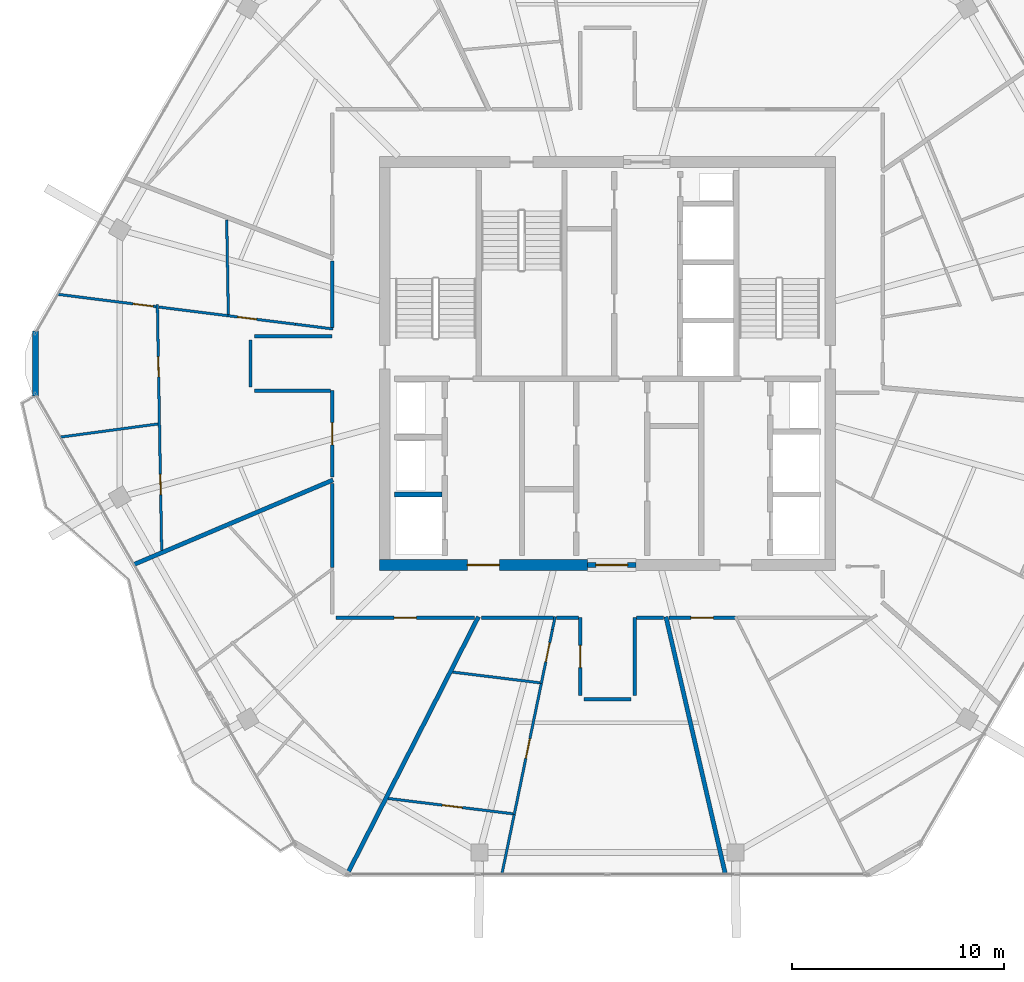
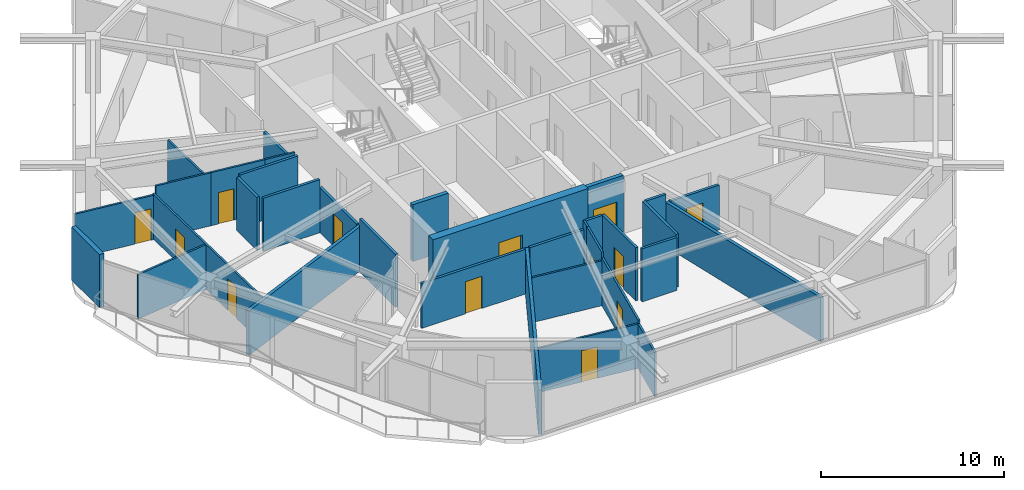
# One storey, part 14 of 21: 34 walls, 13 doors, 13 openings.
"""IFC4 building model written with IfcOpenShell, lengths in metres."""

from ifc_helpers import new_model, si_unit, direction, frame, frame_2d, origin, place, context, subcontext, project, spatial, rectangle, extrude, material, layer, layer_set, type_object, element, fill, save


model = new_model("IFC4")

# Units and contexts
model_context = context("Model", 3, precision=1e-05, world=origin(), true_north=direction((0.0, 1.0)))
body_context = subcontext(model_context, "Body", "Model", "MODEL_VIEW")
ifc_project = project(units=[si_unit("LENGTHUNIT", "METRE"), si_unit("AREAUNIT", "SQUARE_METRE"), si_unit("VOLUMEUNIT", "CUBIC_METRE"), si_unit("PLANEANGLEUNIT", "RADIAN"), si_unit("MASSUNIT", "GRAM", prefix="KILO")], contexts=[model_context])

# Site, building, storey
site_placement = place(None, origin())
site = spatial("IfcSite", under=ifc_project, at=site_placement, CompositionType="ELEMENT")
building_placement = place(site_placement, origin())
building = spatial("IfcBuilding", under=site, at=building_placement, Name="Zuhravey Tower", CompositionType="ELEMENT")
storey_placement = place(building_placement, frame((0.0, 0.0, 319.60009765625)))
storey = spatial("IfcBuildingStorey", under=building, at=storey_placement, Name="L81", CompositionType="ELEMENT", Elevation=319.60009765625)

# Wall, opening, door
ifc_material_1 = material(Name="Concrete C50/60", Category="concrete")
ifc_layer_1 = layer(ifc_material_1, 0.5)
ifc_layer_set_1 = layer_set([ifc_layer_1], Name="Concrete C50/60")
wall_type_1 = type_object("IfcWallType", Name="Core Shear Wall 500", PredefinedType="SHEAR", material=ifc_layer_set_1)
wall_1_placement = place(storey_placement, frame((25.25, 22.5, 0.0), z_axis=(0.0, 0.0, 1.0), x_axis=(1.0, 0.0, 0.0)))
wall_1 = element("IfcWall", 1, at=wall_1_placement, inside=storey, type_object=wall_type_1, Name="L81 South-West Core Shear Wall CW50", PredefinedType="SHEAR", context=body_context, shape_type="SweptSolid", body=[
    extrude(rectangle(XDim=9.800048828125, YDim=0.5, at=frame_2d((4.89990234375, 0.0))), origin(), (0.0, 0.0, 1.0), 3.7998046875),
])
opening_1_placement = place(wall_1_placement, frame((4.14990234375, 0.0, 0.0)))
opening_1 = element("IfcOpeningElement", 2, at=opening_1_placement, cuts=wall_1, Name="Opening FFD1", PredefinedType="OPENING", context=body_context, shape_type="SweptSolid", body=[
    extrude(rectangle(XDim=1.5, YDim=2.14990234375, at=frame_2d((0.75, 1.074951171875))), frame((0.0, 0.261962890625, 0.0), z_axis=(0.0, -1.0, 0.0), x_axis=(1.0, 0.0, 0.0)), (0.0, 0.0, 1.0), 0.52392578125),
])
ifc_material_2 = material(Name="Galvanised fire-rated steel leaf", Category="steel")
door_type_1 = type_object("IfcDoorType", Name="Firefighting Lobby Double Door 1500x2150", OperationType="DOUBLE_DOOR_SINGLE_SWING", PredefinedType="DOOR", material=ifc_material_2)
door_1_placement = place(opening_1_placement, origin())
door_1 = element("IfcDoor", 3, at=door_1_placement, inside=storey, type_object=door_type_1, Name="L81 Firefighting Lobby West Door", OperationType="DOUBLE_DOOR_SINGLE_SWING", OverallHeight=2.14990234375, OverallWidth=1.5, PredefinedType="DOOR", context=body_context, shape_type="SweptSolid", body=[
    extrude(rectangle(XDim=1.5, YDim=2.14990234375, at=frame_2d((0.75, 1.074951171875))), frame((0.0, 0.02490234375, 0.0), z_axis=(0.0, -1.0, 0.0), x_axis=(1.0, 0.0, 0.0)), (0.0, 0.0, 1.0), 0.050048828125),
])
fill(opening_1, door_1)

ifc_material_3 = material(Name="Gypsum fire-rated stud partition")
ifc_layer_2 = layer(ifc_material_3, 0.159912109375)
ifc_layer_set_2 = layer_set([ifc_layer_2], Name="Gypsum fire-rated stud partition")
wall_type_2 = type_object("IfcWallType", Name="Corridor Fire Partition 160", PredefinedType="PARTITIONING", material=ifc_layer_set_2)
wall_2_placement = place(storey_placement, frame((23.02001953125, 30.719970703125, 0.0), z_axis=(0.0, 0.0, 1.0), x_axis=(0.0, -1.0, 0.0)))
wall_2 = element("IfcWall", 4, at=wall_2_placement, inside=storey, type_object=wall_type_2, Name="L81 IW16 Partition 030", PredefinedType="PARTITIONING", context=body_context, shape_type="SweptSolid", body=[
    extrude(rectangle(XDim=4.07470703125, YDim=0.159912109375, at=frame_2d((2.037353515625, 0.0))), origin(), (0.0, 0.0, 1.0), 3.0),
])
opening_2_placement = place(wall_2_placement, frame((1.512451171875, 0.0, 0.0)))
opening_2 = element("IfcOpeningElement", 5, at=opening_2_placement, cuts=wall_2, Name="Opening APD1", PredefinedType="OPENING", context=body_context, shape_type="SweptSolid", body=[
    extrude(rectangle(XDim=1.050048828125, YDim=2.14990234375, at=frame_2d((0.52490234375, 1.074951171875))), frame((0.0, 0.092041015625, 0.0), z_axis=(0.0, -1.0, 0.0), x_axis=(1.0, 0.0, 0.0)), (0.0, 0.0, 1.0), 0.183837890625),
])
ifc_material_4 = material(Name="Solid-core oak fire-rated leaf")
door_type_2 = type_object("IfcDoorType", Name="Apartment Entrance Fire Door 1050x2150", OperationType="NOTDEFINED", PredefinedType="DOOR", material=ifc_material_4)
door_2_placement = place(opening_2_placement, frame((1.050048828125, 0.0, 0.0), z_axis=(0.0, 0.0, 1.0), x_axis=(-1.0, 0.0, 0.0)))
door_2 = element("IfcDoor", 6, at=door_2_placement, inside=storey, type_object=door_type_2, Name="L81 Door 030.1", OperationType="SINGLE_SWING_LEFT", OverallHeight=2.14990234375, OverallWidth=1.050048828125, PredefinedType="DOOR", context=body_context, shape_type="SweptSolid", body=[
    extrude(rectangle(XDim=1.050048828125, YDim=2.14990234375, at=frame_2d((0.52490234375, 1.074951171875))), frame((0.0, 0.02490234375, 0.0), z_axis=(0.0, -1.0, 0.0), x_axis=(1.0, 0.0, 0.0)), (0.0, 0.0, 1.0), 0.050048828125),
])
fill(opening_2, door_2)

wall_3_placement = place(storey_placement, frame((23.199951171875, 20.02001953125, 0.0), z_axis=(0.0, 0.0, 1.0), x_axis=(1.0, 0.0, 0.0)))
wall_3 = element("IfcWall", 7, at=wall_3_placement, inside=storey, type_object=wall_type_2, Name="L81 IW16 Partition 035", PredefinedType="PARTITIONING", context=body_context, shape_type="SweptSolid", body=[
    extrude(rectangle(XDim=6.541259765625, YDim=0.159912109375, at=frame_2d((3.2705078125, 0.0))), origin(), (0.0, 0.0, 1.0), 3.0),
])
opening_3_placement = place(wall_3_placement, frame((2.74560546875, 0.0, 0.0)))
opening_3 = element("IfcOpeningElement", 8, at=opening_3_placement, cuts=wall_3, Name="Opening APD1", PredefinedType="OPENING", context=body_context, shape_type="SweptSolid", body=[
    extrude(rectangle(XDim=1.050048828125, YDim=2.14990234375, at=frame_2d((0.52490234375, 1.074951171875))), frame((0.0, 0.092041015625, 0.0), z_axis=(0.0, -1.0, 0.0), x_axis=(1.0, 0.0, 0.0)), (0.0, 0.0, 1.0), 0.183837890625),
])
door_3_placement = place(opening_3_placement, frame((1.050048828125, 0.0, 0.0), z_axis=(0.0, 0.0, 1.0), x_axis=(-1.0, 0.0, 0.0)))
door_3 = element("IfcDoor", 9, at=door_3_placement, inside=storey, type_object=door_type_2, Name="L81 Door 035.1", OperationType="SINGLE_SWING_RIGHT", OverallHeight=2.14990234375, OverallWidth=1.050048828125, PredefinedType="DOOR", context=body_context, shape_type="SweptSolid", body=[
    extrude(rectangle(XDim=1.050048828125, YDim=2.14990234375, at=frame_2d((0.52490234375, 1.074951171875))), frame((0.0, 0.02490234375, 0.0), z_axis=(0.0, -1.0, 0.0), x_axis=(1.0, 0.0, 0.0)), (0.0, 0.0, 1.0), 0.050048828125),
])
fill(opening_3, door_3)

wall_4_placement = place(storey_placement, frame((34.719970703125, 20.02001953125, 0.0), z_axis=(0.0, 0.0, 1.0), x_axis=(0.0, -1.0, 0.0)))
wall_4 = element("IfcWall", 10, at=wall_4_placement, inside=storey, type_object=wall_type_2, Name="L81 IW16 Partition 039", PredefinedType="PARTITIONING", context=body_context, shape_type="SweptSolid", body=[
    extrude(rectangle(XDim=3.669921875, YDim=0.159912109375, at=frame_2d((1.8349609375, 0.0))), origin(), (0.0, 0.0, 1.0), 3.5498046875),
])
opening_4_placement = place(wall_4_placement, frame((1.31005859375, 0.0, 0.0)))
opening_4 = element("IfcOpeningElement", 11, at=opening_4_placement, cuts=wall_4, Name="Opening APD1", PredefinedType="OPENING", context=body_context, shape_type="SweptSolid", body=[
    extrude(rectangle(XDim=1.050048828125, YDim=2.14990234375, at=frame_2d((0.52490234375, 1.074951171875))), frame((0.0, 0.092041015625, 0.0), z_axis=(0.0, -1.0, 0.0), x_axis=(1.0, 0.0, 0.0)), (0.0, 0.0, 1.0), 0.183837890625),
])
door_4_placement = place(opening_4_placement, origin())
door_4 = element("IfcDoor", 12, at=door_4_placement, inside=storey, type_object=door_type_2, Name="L81 Door 039.1", OperationType="SINGLE_SWING_RIGHT", OverallHeight=2.14990234375, OverallWidth=1.050048828125, PredefinedType="DOOR", context=body_context, shape_type="SweptSolid", body=[
    extrude(rectangle(XDim=1.050048828125, YDim=2.14990234375, at=frame_2d((0.52490234375, 1.074951171875))), frame((0.0, 0.02490234375, 0.0), z_axis=(0.0, -1.0, 0.0), x_axis=(1.0, 0.0, 0.0)), (0.0, 0.0, 1.0), 0.050048828125),
])
fill(opening_4, door_4)

wall_5_placement = place(storey_placement, frame((38.896728515625, 20.02001953125, 0.0), z_axis=(0.0, 0.0, 1.0), x_axis=(1.0, 0.0, 0.0)))
wall_5 = element("IfcWall", 13, at=wall_5_placement, inside=storey, type_object=wall_type_2, Name="L81 IW16 Partition 043", PredefinedType="PARTITIONING", context=body_context, shape_type="SweptSolid", body=[
    extrude(rectangle(XDim=3.13232421875, YDim=0.159912109375, at=frame_2d((1.566162109375, 0.0))), origin(), (0.0, 0.0, 1.0), 3.0),
])
opening_5_placement = place(wall_5_placement, frame((1.041259765625, 0.0, 0.0)))
opening_5 = element("IfcOpeningElement", 14, at=opening_5_placement, cuts=wall_5, Name="Opening APD1", PredefinedType="OPENING", context=body_context, shape_type="SweptSolid", body=[
    extrude(rectangle(XDim=1.050048828125, YDim=2.14990234375, at=frame_2d((0.52490234375, 1.074951171875))), frame((0.0, 0.092041015625, 0.0), z_axis=(0.0, -1.0, 0.0), x_axis=(1.0, 0.0, 0.0)), (0.0, 0.0, 1.0), 0.183837890625),
])
door_5_placement = place(opening_5_placement, frame((1.050048828125, 0.0, 0.0), z_axis=(0.0, 0.0, 1.0), x_axis=(-1.0, 0.0, 0.0)))
door_5 = element("IfcDoor", 15, at=door_5_placement, inside=storey, type_object=door_type_2, Name="L81 Door 043.1", OperationType="SINGLE_SWING_RIGHT", OverallHeight=2.14990234375, OverallWidth=1.050048828125, PredefinedType="DOOR", context=body_context, shape_type="SweptSolid", body=[
    extrude(rectangle(XDim=1.050048828125, YDim=2.14990234375, at=frame_2d((0.52490234375, 1.074951171875))), frame((0.0, 0.02490234375, 0.0), z_axis=(0.0, -1.0, 0.0), x_axis=(1.0, 0.0, 0.0)), (0.0, 0.0, 1.0), 0.050048828125),
])
fill(opening_5, door_5)

# Walls
wall_6_placement = place(storey_placement, frame((23.02001953125, 33.280029296875, 0.0), z_axis=(0.0, 0.0, 1.0), x_axis=(-1.0, 0.0, 0.0)))
element("IfcWall", 16, at=wall_6_placement, inside=storey, type_object=wall_type_2, Name="L81 IW16 Partition 095", PredefinedType="PARTITIONING", context=body_context, shape_type="SweptSolid", body=[
    extrude(rectangle(XDim=3.669921875, YDim=0.159912109375, at=frame_2d((1.8349609375, 0.0))), origin(), (0.0, 0.0, 1.0), 3.5498046875),
])
wall_7_placement = place(storey_placement, frame((19.35009765625, 30.719970703125, 0.0), z_axis=(0.0, 0.0, 1.0), x_axis=(1.0, 0.0, 0.0)))
element("IfcWall", 17, at=wall_7_placement, inside=storey, type_object=wall_type_2, Name="L81 IW16 Partition 096", PredefinedType="PARTITIONING", context=body_context, shape_type="SweptSolid", body=[
    extrude(rectangle(XDim=3.581787109375, YDim=0.159912109375, at=frame_2d((1.791015625, 0.0))), origin(), (0.0, 0.0, 1.0), 3.5498046875),
])
wall_8_placement = place(storey_placement, frame((19.169921875, 33.10009765625, 0.0), z_axis=(0.0, 0.0, 1.0), x_axis=(0.0, -1.0, 0.0)))
element("IfcWall", 18, at=wall_8_placement, inside=storey, type_object=wall_type_2, Name="L81 IW16 Partition 097", PredefinedType="PARTITIONING", context=body_context, shape_type="SweptSolid", body=[
    extrude(rectangle(XDim=2.2001953125, YDim=0.159912109375, at=frame_2d((1.10009765625, 0.0))), origin(), (0.0, 0.0, 1.0), 3.5498046875),
])
wall_9_placement = place(storey_placement, frame((23.02001953125, 36.831787109375, 0.0), z_axis=(0.0, 0.0, 1.0), x_axis=(0.0, -1.0, 0.0)))
element("IfcWall", 19, at=wall_9_placement, inside=storey, type_object=wall_type_2, Name="L81 IW16 Partition 098", PredefinedType="PARTITIONING", context=body_context, shape_type="SweptSolid", body=[
    extrude(rectangle(XDim=3.13037109375, YDim=0.159912109375, at=frame_2d((1.565185546875, 0.0))), origin(), (0.0, 0.0, 1.0), 3.0),
])
wall_10_placement = place(storey_placement, frame((23.02001953125, 26.334228515625, 0.0), z_axis=(0.0, 0.0, 1.0), x_axis=(0.0, -1.0, 0.0)))
element("IfcWall", 20, at=wall_10_placement, inside=storey, type_object=wall_type_2, Name="L81 IW16 Partition 100", PredefinedType="PARTITIONING", context=body_context, shape_type="SweptSolid", body=[
    extrude(rectangle(XDim=3.9453125, YDim=0.159912109375, at=frame_2d((1.97265625, 0.0))), origin(), (0.0, 0.0, 1.0), 3.5498046875),
])
wall_11_placement = place(storey_placement, frame((37.280029296875, 16.35009765625, 0.0), z_axis=(0.0, 0.0, 1.0), x_axis=(0.0, 1.0, 0.0)))
element("IfcWall", 21, at=wall_11_placement, inside=storey, type_object=wall_type_2, Name="L81 IW16 Partition 101", PredefinedType="PARTITIONING", context=body_context, shape_type="SweptSolid", body=[
    extrude(rectangle(XDim=3.669921875, YDim=0.159912109375, at=frame_2d((1.8349609375, 0.0))), origin(), (0.0, 0.0, 1.0), 3.5498046875),
])
wall_12_placement = place(storey_placement, frame((34.89990234375, 16.169921875, 0.0), z_axis=(0.0, 0.0, 1.0), x_axis=(1.0, 0.0, 0.0)))
element("IfcWall", 22, at=wall_12_placement, inside=storey, type_object=wall_type_2, Name="L81 IW16 Partition 102", PredefinedType="PARTITIONING", context=body_context, shape_type="SweptSolid", body=[
    extrude(rectangle(XDim=2.2001953125, YDim=0.159912109375, at=frame_2d((1.10009765625, 0.0))), origin(), (0.0, 0.0, 1.0), 3.5498046875),
])
wall_13_placement = place(storey_placement, frame((37.367919921875, 20.02001953125, 0.0), z_axis=(0.0, 0.0, 1.0), x_axis=(1.0, 0.0, 0.0)))
element("IfcWall", 23, at=wall_13_placement, inside=storey, type_object=wall_type_2, Name="L81 IW16 Partition 103", PredefinedType="PARTITIONING", context=body_context, shape_type="SweptSolid", body=[
    extrude(rectangle(XDim=1.267578125, YDim=0.159912109375, at=frame_2d((0.6337890625, 0.0))), origin(), (0.0, 0.0, 1.0), 3.5498046875),
])
wall_14_placement = place(storey_placement, frame((33.5927734375, 20.02001953125, 0.0), z_axis=(0.0, 0.0, 1.0), x_axis=(1.0, 0.0, 0.0)))
element("IfcWall", 24, at=wall_14_placement, inside=storey, type_object=wall_type_2, Name="L81 IW16 Partition 104", PredefinedType="PARTITIONING", context=body_context, shape_type="SweptSolid", body=[
    extrude(rectangle(XDim=1.039306640625, YDim=0.159912109375, at=frame_2d((0.51953125, 0.0))), origin(), (0.0, 0.0, 1.0), 3.5498046875),
])
wall_15_placement = place(storey_placement, frame((30.04931640625, 20.02001953125, 0.0), z_axis=(0.0, 0.0, 1.0), x_axis=(1.0, 0.0, 0.0)))
element("IfcWall", 25, at=wall_15_placement, inside=storey, type_object=wall_type_2, Name="L81 IW16 Partition 105", PredefinedType="PARTITIONING", context=body_context, shape_type="SweptSolid", body=[
    extrude(rectangle(XDim=3.40478515625, YDim=0.159912109375, at=frame_2d((1.702392578125, 0.0))), origin(), (0.0, 0.0, 1.0), 3.0),
])
ifc_material_5 = material(Name="Precast concrete C40/50", Category="concrete")
ifc_layer_3 = layer(ifc_material_5, 0.280029296875)
ifc_layer_set_3 = layer_set([ifc_layer_3], Name="Precast concrete C40/50")
wall_type_3 = type_object("IfcWallType", Name="Crown Architectural Wall 280", PredefinedType="SOLIDWALL", material=ifc_layer_set_3)
wall_16_placement = place(storey_placement, frame((9.031494140625, 30.467529296875, 0.0), z_axis=(0.0, 0.0, 1.0), x_axis=(0.0, 1.0, 0.0)))
element("IfcWall", 26, at=wall_16_placement, inside=storey, type_object=wall_type_3, Name="L81 Rounded Corner Closure Wall EW28-06", PredefinedType="SOLIDWALL", context=body_context, shape_type="SweptSolid", body=[
    extrude(rectangle(XDim=3.06494140625, YDim=0.280029296875, at=frame_2d((1.532470703125, 0.0))), origin(), (0.0, 0.0, 1.0), 3.5498046875),
])

# Wall, opening, door
ifc_layer_4 = layer(ifc_material_1, 0.25)
ifc_layer_set_4 = layer_set([ifc_layer_4], Name="Concrete C50/60")
wall_type_4 = type_object("IfcWallType", Name="Firefighting Shaft & Stair Wall 250", PredefinedType="SOLIDWALL", material=ifc_layer_set_4)
wall_17_placement = place(storey_placement, frame((35.06005859375, 22.5, 0.0), z_axis=(0.0, 0.0, 1.0), x_axis=(1.0, 0.0, 0.0)))
wall_17 = element("IfcWall", 27, at=wall_17_placement, inside=storey, type_object=wall_type_4, Name="L81 FW25 Shaft Wall 001", PredefinedType="SOLIDWALL", context=body_context, shape_type="SweptSolid", body=[
    extrude(rectangle(XDim=2.280029296875, YDim=0.25, at=frame_2d((1.14013671875, 0.0))), origin(), (0.0, 0.0, 1.0), 3.7998046875),
])
opening_6_placement = place(wall_17_placement, frame((0.389892578125, 0.0, 0.0)))
opening_6 = element("IfcOpeningElement", 28, at=opening_6_placement, cuts=wall_17, Name="Opening FFD1", PredefinedType="OPENING", context=body_context, shape_type="SweptSolid", body=[
    extrude(rectangle(XDim=1.5, YDim=2.14990234375, at=frame_2d((0.75, 1.074951171875))), frame((0.0, 0.136962890625, 0.0), z_axis=(0.0, -1.0, 0.0), x_axis=(1.0, 0.0, 0.0)), (0.0, 0.0, 1.0), 0.27392578125),
])
door_6_placement = place(opening_6_placement, frame((1.5, 0.0, 0.0), z_axis=(0.0, 0.0, 1.0), x_axis=(-1.0, 0.0, 0.0)))
door_6 = element("IfcDoor", 29, at=door_6_placement, inside=storey, type_object=door_type_1, Name="L81 South Lift Lobby Exit Door", OperationType="DOUBLE_DOOR_SINGLE_SWING", OverallHeight=2.14990234375, OverallWidth=1.5, PredefinedType="DOOR", context=body_context, shape_type="SweptSolid", body=[
    extrude(rectangle(XDim=1.5, YDim=2.14990234375, at=frame_2d((0.75, 1.074951171875))), frame((0.0, 0.02490234375, 0.0), z_axis=(0.0, -1.0, 0.0), x_axis=(1.0, 0.0, 0.0)), (0.0, 0.0, 1.0), 0.050048828125),
])
fill(opening_6, door_6)

# Walls
wall_18_placement = place(storey_placement, frame((25.949951171875, 25.824951171875, 0.0), z_axis=(0.0, 0.0, 1.0), x_axis=(1.0, 0.0, 0.0)))
element("IfcWall", 30, at=wall_18_placement, inside=storey, type_object=wall_type_4, Name="L81 FW25 Shaft Wall 009", PredefinedType="SOLIDWALL", context=body_context, shape_type="SweptSolid", body=[
    extrude(rectangle(XDim=2.25, YDim=0.25, at=frame_2d((1.125, 0.0))), origin(), (0.0, 0.0, 1.0), 3.7998046875),
])
ifc_material_6 = material(Name="Gypsum double-stud party assembly")
ifc_layer_5 = layer(ifc_material_6, 0.199951171875)
ifc_layer_set_5 = layer_set([ifc_layer_5], Name="Gypsum double-stud party assembly")
wall_type_5 = type_object("IfcWallType", Name="Inter-Tenancy Party Wall 200", PredefinedType="PARTITIONING", material=ifc_layer_set_5)
wall_19_placement = place(storey_placement, frame((23.06005859375, 26.50732421875, 0.0), z_axis=(0.0, 0.0, 1.0), x_axis=(-0.920506642252, -0.390726914314, 0.0)))
element("IfcWall", 31, at=wall_19_placement, inside=storey, type_object=wall_type_5, Name="L81 IW20 Partition 067", PredefinedType="PARTITIONING", context=body_context, shape_type="SweptSolid", body=[
    extrude(rectangle(XDim=10.197265625, YDim=0.199951171875, at=frame_2d((5.0986328125, 0.0))), origin(), (0.0, 0.0, 1.0), 2.969970703125),
])
wall_20_placement = place(storey_placement, frame((29.916259765625, 20.06005859375, 0.0), z_axis=(0.0, 0.0, 1.0), x_axis=(-0.453984595432, -0.891009532559, 0.0)))
element("IfcWall", 32, at=wall_20_placement, inside=storey, type_object=wall_type_5, Name="L81 IW20 Partition 071", PredefinedType="PARTITIONING", context=body_context, shape_type="SweptSolid", body=[
    extrude(rectangle(XDim=13.617919921875, YDim=0.199951171875, at=frame_2d((6.80908203125, 0.0))), origin(), (0.0, 0.0, 1.0), 2.969970703125),
])
wall_21_placement = place(storey_placement, frame((38.756591796875, 20.06005859375, 0.0), z_axis=(0.0, 0.0, 1.0), x_axis=(0.224939685303, -0.974372689465, 0.0)))
element("IfcWall", 33, at=wall_21_placement, inside=storey, type_object=wall_type_5, Name="L81 IW20 Partition 075", PredefinedType="PARTITIONING", context=body_context, shape_type="SweptSolid", body=[
    extrude(rectangle(XDim=12.453369140625, YDim=0.199951171875, at=frame_2d((6.2265625, 0.0))), origin(), (0.0, 0.0, 1.0), 2.969970703125),
])

# Wall, openings, doors
ifc_material_7 = material(Name="Gypsum metal-stud partition")
ifc_layer_6 = layer(ifc_material_7, 0.1201171875)
ifc_layer_set_6 = layer_set([ifc_layer_6], Name="Gypsum metal-stud partition")
wall_type_6 = type_object("IfcWallType", Name="Unit Internal Partition 120", PredefinedType="PARTITIONING", material=ifc_layer_set_6)
wall_22_placement = place(storey_placement, frame((14.77978515625, 34.770263671875, 0.0), z_axis=(0.0, 0.0, 1.0), x_axis=(0.017447291159, -0.999847784431, 0.0)))
wall_22 = element("IfcWall", 34, at=wall_22_placement, inside=storey, type_object=wall_type_6, Name="L81 IW12 Partition 026", PredefinedType="PARTITIONING", context=body_context, shape_type="SweptSolid", body=[
    extrude(rectangle(XDim=11.586181640625, YDim=0.1201171875, at=frame_2d((5.79296875, 0.0))), origin(), (0.0, 0.0, 1.0), 3.0),
])
opening_7_placement = place(wall_22_placement, frame((2.45263671875, 0.0, 0.0)))
opening_7 = element("IfcOpeningElement", 35, at=opening_7_placement, cuts=wall_22, Name="Opening IND1", PredefinedType="OPENING", context=body_context, shape_type="SweptSolid", body=[
    extrude(rectangle(XDim=0.949951171875, YDim=2.10009765625, at=frame_2d((0.47509765625, 1.050048828125))), frame((0.0, 0.072021484375, 0.0), z_axis=(0.0, -1.0, 0.0), x_axis=(1.0, 0.0, 0.0)), (0.0, 0.0, 1.0), 0.14404296875),
])
opening_8_placement = place(wall_22_placement, frame((8.005126953125, 0.0, 0.0)))
opening_8 = element("IfcOpeningElement", 36, at=opening_8_placement, cuts=wall_22, Name="Opening IND1", PredefinedType="OPENING", context=body_context, shape_type="SweptSolid", body=[
    extrude(rectangle(XDim=0.949951171875, YDim=2.10009765625, at=frame_2d((0.47509765625, 1.050048828125))), frame((0.0, 0.072021484375, 0.0), z_axis=(0.0, -1.0, 0.0), x_axis=(1.0, 0.0, 0.0)), (0.0, 0.0, 1.0), 0.14404296875),
])
ifc_material_8 = material(Name="Painted engineered timber leaf", Category="wood")
door_type_3 = type_object("IfcDoorType", Name="Internal Room & Bedroom Door 950x2100", OperationType="NOTDEFINED", PredefinedType="DOOR", material=ifc_material_8)
door_7_placement = place(opening_7_placement, frame((0.949951171875, 0.0, 0.0), z_axis=(0.0, 0.0, 1.0), x_axis=(-1.0, 0.0, 0.0)))
door_7 = element("IfcDoor", 37, at=door_7_placement, inside=storey, type_object=door_type_3, Name="Apartment L81-02 Family Study Door", OperationType="SINGLE_SWING_LEFT", OverallHeight=2.10009765625, OverallWidth=0.949951171875, PredefinedType="DOOR", context=body_context, shape_type="SweptSolid", body=[
    extrude(rectangle(XDim=0.949951171875, YDim=2.10009765625, at=frame_2d((0.47509765625, 1.050048828125))), frame((0.0, 0.02490234375, 0.0), z_axis=(0.0, -1.0, 0.0), x_axis=(1.0, 0.0, 0.0)), (0.0, 0.0, 1.0), 0.050048828125),
])
fill(opening_7, door_7)
door_8_placement = place(opening_8_placement, frame((0.949951171875, 0.0, 0.0), z_axis=(0.0, 0.0, 1.0), x_axis=(-1.0, 0.0, 0.0)))
door_8 = element("IfcDoor", 38, at=door_8_placement, inside=storey, type_object=door_type_3, Name="Apartment L81-02 Dining Room Door", OperationType="SINGLE_SWING_RIGHT", OverallHeight=2.10009765625, OverallWidth=0.949951171875, PredefinedType="DOOR", context=body_context, shape_type="SweptSolid", body=[
    extrude(rectangle(XDim=0.949951171875, YDim=2.10009765625, at=frame_2d((0.47509765625, 1.050048828125))), frame((0.0, 0.02490234375, 0.0), z_axis=(0.0, -1.0, 0.0), x_axis=(1.0, 0.0, 0.0)), (0.0, 0.0, 1.0), 0.050048828125),
])
fill(opening_8, door_8)

# Wall, opening, door
wall_23_placement = place(storey_placement, frame((21.293701171875, 33.85009765625, 0.0), z_axis=(0.0, 0.0, 1.0), x_axis=(-0.992178326729, 0.1248285543, 0.0)))
wall_23 = element("IfcWall", 39, at=wall_23_placement, inside=storey, type_object=wall_type_6, Name="L81 IW12 Partition 027", PredefinedType="PARTITIONING", context=body_context, shape_type="SweptSolid", body=[
    extrude(rectangle(XDim=3.21728515625, YDim=0.1201171875, at=frame_2d((1.608642578125, 0.0))), origin(), (0.0, 0.0, 1.0), 3.5498046875),
])
opening_9_placement = place(wall_23_placement, frame((1.856201171875, 0.0, 0.0)))
opening_9 = element("IfcOpeningElement", 40, at=opening_9_placement, cuts=wall_23, Name="Opening WCD1", PredefinedType="OPENING", context=body_context, shape_type="SweptSolid", body=[
    extrude(rectangle(XDim=0.89990234375, YDim=2.10009765625, at=frame_2d((0.449951171875, 1.050048828125))), frame((0.0, 0.072021484375, 0.0), z_axis=(0.0, -1.0, 0.0), x_axis=(1.0, 0.0, 0.0)), (0.0, 0.0, 1.0), 0.14404296875),
])
ifc_material_9 = material(Name="Moisture-resistant timber leaf", Category="wood")
door_type_4 = type_object("IfcDoorType", Name="Bathroom & WC Internal Door 900x2100", OperationType="NOTDEFINED", PredefinedType="DOOR", material=ifc_material_9)
door_9_placement = place(opening_9_placement, frame((0.89990234375, 0.0, 0.0), z_axis=(0.0, 0.0, 1.0), x_axis=(-1.0, 0.0, 0.0)))
door_9 = element("IfcDoor", 41, at=door_9_placement, inside=storey, type_object=door_type_4, Name="Apartment L81-02 Bathroom Door", OperationType="SINGLE_SWING_LEFT", OverallHeight=2.10009765625, OverallWidth=0.89990234375, PredefinedType="DOOR", context=body_context, shape_type="SweptSolid", body=[
    extrude(rectangle(XDim=0.89990234375, YDim=2.10009765625, at=frame_2d((0.449951171875, 1.050048828125))), frame((0.0, 0.02490234375, 0.0), z_axis=(0.0, -1.0, 0.0), x_axis=(1.0, 0.0, 0.0)), (0.0, 0.0, 1.0), 0.050048828125),
])
fill(opening_9, door_9)

# Wall
wall_24_placement = place(storey_placement, frame((18.1015625, 34.251708984375, 0.0), z_axis=(0.0, 0.0, 1.0), x_axis=(-0.992185927593, 0.124768125279, 0.0)))
element("IfcWall", 42, at=wall_24_placement, inside=storey, type_object=wall_type_6, Name="L81 IW12 Partition 028", PredefinedType="PARTITIONING", context=body_context, shape_type="SweptSolid", body=[
    extrude(rectangle(XDim=3.277587890625, YDim=0.1201171875, at=frame_2d((1.638671875, 0.0))), origin(), (0.0, 0.0, 1.0), 3.5498046875),
])

# Wall, opening, door
wall_25_placement = place(storey_placement, frame((14.71337890625, 34.677734375, 0.0), z_axis=(0.0, 0.0, 1.0), x_axis=(-0.992180233529, 0.124813397493, 0.0)))
wall_25 = element("IfcWall", 43, at=wall_25_placement, inside=storey, type_object=wall_type_6, Name="L81 IW12 Partition 029", PredefinedType="PARTITIONING", context=body_context, shape_type="SweptSolid", body=[
    extrude(rectangle(XDim=4.669189453125, YDim=0.1201171875, at=frame_2d((2.33447265625, 0.0))), origin(), (0.0, 0.0, 1.0), 2.969970703125),
])
opening_10_placement = place(wall_25_placement, frame((0.139892578125, 0.0, 0.0)))
opening_10 = element("IfcOpeningElement", 44, at=opening_10_placement, cuts=wall_25, Name="Opening IND1", PredefinedType="OPENING", context=body_context, shape_type="SweptSolid", body=[
    extrude(rectangle(XDim=0.949951171875, YDim=2.10009765625, at=frame_2d((0.47509765625, 1.050048828125))), frame((0.0, 0.072021484375, 0.0), z_axis=(0.0, -1.0, 0.0), x_axis=(1.0, 0.0, 0.0)), (0.0, 0.0, 1.0), 0.14404296875),
])
door_10_placement = place(opening_10_placement, frame((0.949951171875, 0.0, 0.0), z_axis=(0.0, 0.0, 1.0), x_axis=(-1.0, 0.0, 0.0)))
door_10 = element("IfcDoor", 45, at=door_10_placement, inside=storey, type_object=door_type_3, Name="Apartment L81-02 Bedroom 1 Door", OperationType="SINGLE_SWING_RIGHT", OverallHeight=2.10009765625, OverallWidth=0.949951171875, PredefinedType="DOOR", context=body_context, shape_type="SweptSolid", body=[
    extrude(rectangle(XDim=0.949951171875, YDim=2.10009765625, at=frame_2d((0.47509765625, 1.050048828125))), frame((0.0, 0.02490234375, 0.0), z_axis=(0.0, -1.0, 0.0), x_axis=(1.0, 0.0, 0.0)), (0.0, 0.0, 1.0), 0.050048828125),
])
fill(opening_10, door_10)

wall_26_placement = place(storey_placement, frame((33.405517578125, 19.449951171875, 0.0), z_axis=(0.0, 0.0, 1.0), x_axis=(-0.202468586372, -0.979288757993, 0.0)))
wall_26 = element("IfcWall", 46, at=wall_26_placement, inside=storey, type_object=wall_type_6, Name="L81 IW12 Partition 036", PredefinedType="PARTITIONING", context=body_context, shape_type="SweptSolid", body=[
    extrude(rectangle(XDim=2.592529296875, YDim=0.1201171875, at=frame_2d((1.29638671875, 0.0))), origin(), (0.0, 0.0, 1.0), 3.5498046875),
])
opening_11_placement = place(wall_26_placement, frame((0.638916015625, 0.0, 0.0)))
opening_11 = element("IfcOpeningElement", 47, at=opening_11_placement, cuts=wall_26, Name="Opening WCD1", PredefinedType="OPENING", context=body_context, shape_type="SweptSolid", body=[
    extrude(rectangle(XDim=0.89990234375, YDim=2.10009765625, at=frame_2d((0.449951171875, 1.050048828125))), frame((0.0, 0.072021484375, 0.0), z_axis=(0.0, -1.0, 0.0), x_axis=(1.0, 0.0, 0.0)), (0.0, 0.0, 1.0), 0.14404296875),
])
door_11_placement = place(opening_11_placement, frame((0.89990234375, 0.0, 0.0), z_axis=(0.0, 0.0, 1.0), x_axis=(-1.0, 0.0, 0.0)))
door_11 = element("IfcDoor", 48, at=door_11_placement, inside=storey, type_object=door_type_4, Name="Apartment L81-04 Bathroom Door", OperationType="SINGLE_SWING_LEFT", OverallHeight=2.10009765625, OverallWidth=0.89990234375, PredefinedType="DOOR", context=body_context, shape_type="SweptSolid", body=[
    extrude(rectangle(XDim=0.89990234375, YDim=2.10009765625, at=frame_2d((0.449951171875, 1.050048828125))), frame((0.0, 0.02490234375, 0.0), z_axis=(0.0, -1.0, 0.0), x_axis=(1.0, 0.0, 0.0)), (0.0, 0.0, 1.0), 0.050048828125),
])
fill(opening_11, door_11)

wall_27_placement = place(storey_placement, frame((32.880859375, 16.9111328125, 0.0), z_axis=(0.0, 0.0, 1.0), x_axis=(-0.202463483785, -0.979289812943, 0.0)))
wall_27 = element("IfcWall", 49, at=wall_27_placement, inside=storey, type_object=wall_type_6, Name="L81 IW12 Partition 037", PredefinedType="PARTITIONING", context=body_context, shape_type="SweptSolid", body=[
    extrude(rectangle(XDim=6.305419921875, YDim=0.1201171875, at=frame_2d((3.15283203125, 0.0))), origin(), (0.0, 0.0, 1.0), 3.199951171875),
])
opening_12_placement = place(wall_27_placement, frame((2.652587890625, 0.0, 0.0)))
opening_12 = element("IfcOpeningElement", 50, at=opening_12_placement, cuts=wall_27, Name="Opening IND1", PredefinedType="OPENING", context=body_context, shape_type="SweptSolid", body=[
    extrude(rectangle(XDim=0.949951171875, YDim=2.10009765625, at=frame_2d((0.47509765625, 1.050048828125))), frame((0.0, 0.072021484375, 0.0), z_axis=(0.0, -1.0, 0.0), x_axis=(1.0, 0.0, 0.0)), (0.0, 0.0, 1.0), 0.14404296875),
])
door_12_placement = place(opening_12_placement, frame((0.949951171875, 0.0, 0.0), z_axis=(0.0, 0.0, 1.0), x_axis=(-1.0, 0.0, 0.0)))
door_12 = element("IfcDoor", 51, at=door_12_placement, inside=storey, type_object=door_type_3, Name="Apartment L81-04 Home Office Door", OperationType="SINGLE_SWING_RIGHT", OverallHeight=2.10009765625, OverallWidth=0.949951171875, PredefinedType="DOOR", context=body_context, shape_type="SweptSolid", body=[
    extrude(rectangle(XDim=0.949951171875, YDim=2.10009765625, at=frame_2d((0.47509765625, 1.050048828125))), frame((0.0, 0.02490234375, 0.0), z_axis=(0.0, -1.0, 0.0), x_axis=(1.0, 0.0, 0.0)), (0.0, 0.0, 1.0), 0.050048828125),
])
fill(opening_12, door_12)

wall_28_placement = place(storey_placement, frame((25.662841796875, 11.4912109375, 0.0), z_axis=(0.0, 0.0, 1.0), x_axis=(0.992544417597, -0.121883465234, 0.0)))
wall_28 = element("IfcWall", 52, at=wall_28_placement, inside=storey, type_object=wall_type_6, Name="L81 IW12 Partition 038", PredefinedType="PARTITIONING", context=body_context, shape_type="SweptSolid", body=[
    extrude(rectangle(XDim=5.923095703125, YDim=0.1201171875, at=frame_2d((2.96142578125, 0.0))), origin(), (0.0, 0.0, 1.0), 2.969970703125),
])
opening_13_placement = place(wall_28_placement, frame((2.57080078125, 0.0, 0.0)))
opening_13 = element("IfcOpeningElement", 53, at=opening_13_placement, cuts=wall_28, Name="Opening IND1", PredefinedType="OPENING", context=body_context, shape_type="SweptSolid", body=[
    extrude(rectangle(XDim=0.949951171875, YDim=2.10009765625, at=frame_2d((0.47509765625, 1.050048828125))), frame((0.0, 0.072021484375, 0.0), z_axis=(0.0, -1.0, 0.0), x_axis=(1.0, 0.0, 0.0)), (0.0, 0.0, 1.0), 0.14404296875),
])
door_13_placement = place(opening_13_placement, frame((0.949951171875, 0.0, 0.0), z_axis=(0.0, 0.0, 1.0), x_axis=(-1.0, 0.0, 0.0)))
door_13 = element("IfcDoor", 54, at=door_13_placement, inside=storey, type_object=door_type_3, Name="Apartment L81-04 Bedroom 1 Door", OperationType="SINGLE_SWING_LEFT", OverallHeight=2.10009765625, OverallWidth=0.949951171875, PredefinedType="DOOR", context=body_context, shape_type="SweptSolid", body=[
    extrude(rectangle(XDim=0.949951171875, YDim=2.10009765625, at=frame_2d((0.47509765625, 1.050048828125))), frame((0.0, 0.02490234375, 0.0), z_axis=(0.0, -1.0, 0.0), x_axis=(1.0, 0.0, 0.0)), (0.0, 0.0, 1.0), 0.050048828125),
])
fill(opening_13, door_13)

# Walls
wall_29_placement = place(storey_placement, frame((14.809814453125, 29.148193359375, 0.0), z_axis=(0.0, 0.0, 1.0), x_axis=(-0.99106212133, -0.133401168156, 0.0)))
element("IfcWall", 55, at=wall_29_placement, inside=storey, type_object=wall_type_6, Name="L81 IW12 Partition 064", PredefinedType="PARTITIONING", context=body_context, shape_type="SweptSolid", body=[
    extrude(rectangle(XDim=4.677734375, YDim=0.1201171875, at=frame_2d((2.3388671875, 0.0))), origin(), (0.0, 0.0, 1.0), 2.969970703125),
])
wall_30_placement = place(storey_placement, frame((23.064697265625, 33.627197265625, 0.0), z_axis=(0.0, 0.0, 1.0), x_axis=(-0.992172307506, 0.124876387752, 0.0)))
element("IfcWall", 56, at=wall_30_placement, inside=storey, type_object=wall_type_6, Name="L81 IW12 Partition 065", PredefinedType="PARTITIONING", context=body_context, shape_type="SweptSolid", body=[
    extrude(rectangle(XDim=1.784912109375, YDim=0.1201171875, at=frame_2d((0.892578125, 0.0))), origin(), (0.0, 0.0, 1.0), 3.5498046875),
])
wall_31_placement = place(storey_placement, frame((18.047607421875, 38.775634765625, 0.0), z_axis=(0.0, 0.0, 1.0), x_axis=(0.017410568339, -0.999848424567, 0.0)))
element("IfcWall", 57, at=wall_31_placement, inside=storey, type_object=wall_type_6, Name="L81 IW12 Partition 066", PredefinedType="PARTITIONING", context=body_context, shape_type="SweptSolid", body=[
    extrude(rectangle(XDim=4.459228515625, YDim=0.1201171875, at=frame_2d((2.2294921875, 0.0))), origin(), (0.0, 0.0, 1.0), 3.0),
])
wall_32_placement = place(storey_placement, frame((33.53271484375, 20.064453125, 0.0), z_axis=(0.0, 0.0, 1.0), x_axis=(-0.202695657212, -0.979241783498, 0.0)))
element("IfcWall", 58, at=wall_32_placement, inside=storey, type_object=wall_type_6, Name="L81 IW12 Partition 072", PredefinedType="PARTITIONING", context=body_context, shape_type="SweptSolid", body=[
    extrude(rectangle(XDim=0.62744140625, YDim=0.1201171875, at=frame_2d((0.313720703125, 0.0))), origin(), (0.0, 0.0, 1.0), 3.5498046875),
])
wall_33_placement = place(storey_placement, frame((31.604248046875, 10.736328125, 0.0), z_axis=(0.0, 0.0, 1.0), x_axis=(-0.202448350059, -0.979292941646, 0.0)))
element("IfcWall", 59, at=wall_33_placement, inside=storey, type_object=wall_type_6, Name="L81 IW12 Partition 073", PredefinedType="PARTITIONING", context=body_context, shape_type="SweptSolid", body=[
    extrude(rectangle(XDim=2.875, YDim=0.1201171875, at=frame_2d((1.4375, 0.0))), origin(), (0.0, 0.0, 1.0), 2.969970703125),
])
wall_34_placement = place(storey_placement, frame((28.70703125, 17.44873046875, 0.0), z_axis=(0.0, 0.0, 1.0), x_axis=(0.992543079952, -0.121894357702, 0.0)))
element("IfcWall", 60, at=wall_34_placement, inside=storey, type_object=wall_type_6, Name="L81 IW12 Partition 074", PredefinedType="PARTITIONING", context=body_context, shape_type="SweptSolid", body=[
    extrude(rectangle(XDim=4.14208984375, YDim=0.1201171875, at=frame_2d((2.071044921875, 0.0))), origin(), (0.0, 0.0, 1.0), 3.0),
])

save(model, "model.ifc")
